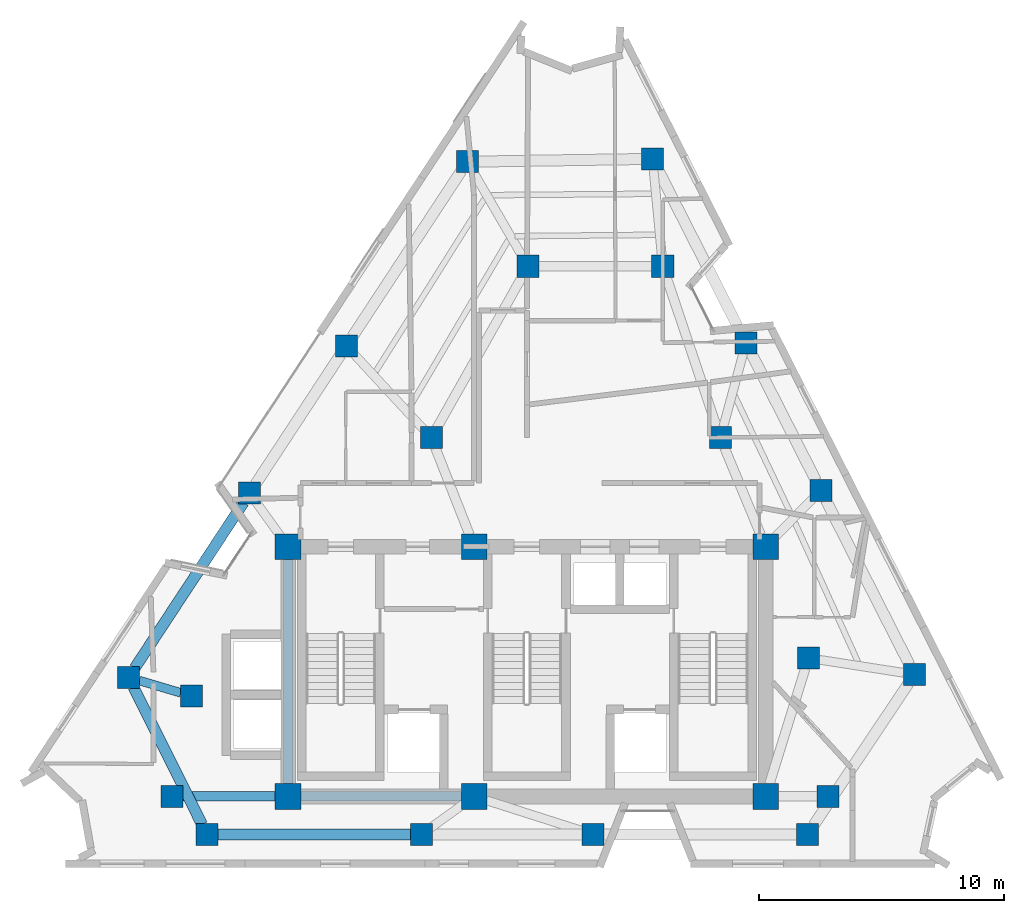
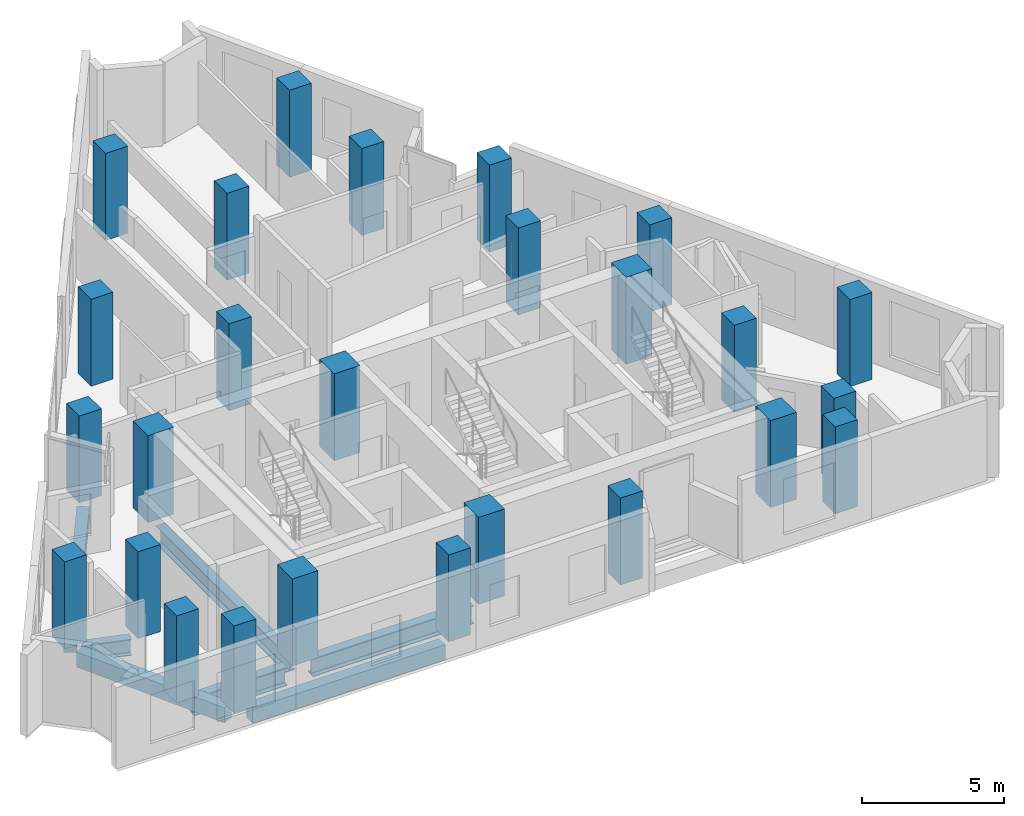
# One storey, part 1 of 9: 26 columns, 7 beams.
"""IFC4 building model written with IfcOpenShell, lengths in metres."""

import ifcopenshell
import ifcopenshell.guid

model = None  # the IFC model being written
_history = None  # IfcOwnerHistory: only IFC2X3 demands one
_inside = {}  # id of a spatial element -> (the spatial element, [elements in it])
_under = {}  # id of a project, library or spatial element -> (it, [spatial elements below it])
_declared = {}  # id of a project -> (the project, [libraries it declares])
_typed = {}  # id of a type object -> (the type object, [elements of that type])
_made_of = {}  # id of a material, layer set ... -> (it, [elements and type objects made of it])


def new_model(schema):
    """Start an empty IFC model of exactly this schema.

    Asked for "IFC4X3", IfcOpenShell would pick the latest addendum, in which some entities
    have other attributes; the version numbers below select the first issue.
    IFC2X3 requires an IfcOwnerHistory on every rooted entity: one is made here for all.
    """
    global model, _history
    if schema == "IFC4X3":
        model = ifcopenshell.file(schema_version=(4, 3, 0, 0))
    else:
        model = ifcopenshell.file(schema=schema)
    _inside.clear()
    _under.clear()
    _declared.clear()
    _typed.clear()
    _made_of.clear()
    _history = None
    if model.schema == "IFC2X3":
        org = make("IfcOrganization", Name="unknown")
        user = make(
            "IfcPersonAndOrganization",
            ThePerson=make("IfcPerson", FamilyName="unknown"),
            TheOrganization=org,
        )
        app = make(
            "IfcApplication",
            ApplicationDeveloper=org,
            Version="unknown",
            ApplicationFullName="unknown",
            ApplicationIdentifier="unknown",
        )
        _history = make(
            "IfcOwnerHistory",
            OwningUser=user,
            OwningApplication=app,
            ChangeAction="ADDED",
            CreationDate=0,
        )
    return model


def make(cls, **values):
    """One entity of the class cls with the attributes given. An attribute that is None is left unset."""
    return model.create_entity(
        cls, **{name: value for name, value in values.items() if value is not None}
    )


def rooted(cls, **values):
    """An entity with a GlobalId (a new one), such as an element, a storey or a relation."""
    return make(cls, GlobalId=ifcopenshell.guid.new(), OwnerHistory=_history, **values)


def si_unit(unit_type, name, prefix=None):
    """IfcSIUnit, for example si_unit("LENGTHUNIT", "METRE", prefix="MILLI")."""
    return make("IfcSIUnit", UnitType=unit_type, Prefix=prefix, Name=name)


def assignment(units):
    """IfcUnitAssignment: the units of a project."""
    return None if units is None else make("IfcUnitAssignment", Units=units)


def point(xyz):
    """IfcCartesianPoint."""
    return None if xyz is None else make("IfcCartesianPoint", Coordinates=xyz)


def direction(xyz):
    """IfcDirection."""
    return None if xyz is None else make("IfcDirection", DirectionRatios=xyz)


def frame(location, z_axis=None, x_axis=None):
    """IfcAxis2Placement3D, a coordinate frame: its origin and axes. An axis left out is left unset."""
    return make(
        "IfcAxis2Placement3D",
        Location=point(location),
        Axis=direction(z_axis),
        RefDirection=direction(x_axis),
    )


def frame_2d(location, x_axis=None):
    """IfcAxis2Placement2D, a coordinate frame in the plane: its origin and x axis."""
    return make(
        "IfcAxis2Placement2D", Location=point(location), RefDirection=direction(x_axis)
    )


def origin():
    """The frame at (0, 0, 0) with its axes left unset."""
    return frame((0.0, 0.0, 0.0))


def origin_2d():
    """The frame at (0, 0) in the plane with its x axis left unset."""
    return frame_2d((0.0, 0.0))


def place(relative_to, where):
    """IfcLocalPlacement: puts the frame where relative to a parent placement (None: the world)."""
    return make(
        "IfcLocalPlacement", PlacementRelTo=relative_to, RelativePlacement=where
    )


def context(
    kind, dimensions, precision=None, world=None, true_north=None, identifier=None
):
    """IfcGeometricRepresentationContext, for example the 3D "Model" context."""
    return make(
        "IfcGeometricRepresentationContext",
        ContextIdentifier=identifier,
        ContextType=kind,
        CoordinateSpaceDimension=dimensions,
        Precision=precision,
        WorldCoordinateSystem=world,
        TrueNorth=true_north,
    )


def subcontext(parent, identifier, kind, view, scale=None):
    """IfcGeometricRepresentationSubContext, for example "Body" below "Model"."""
    return make(
        "IfcGeometricRepresentationSubContext",
        ContextIdentifier=identifier,
        ContextType=kind,
        ParentContext=parent,
        TargetScale=scale,
        TargetView=view,
    )


def project(units=None, contexts=None):
    """IfcProject with its units and contexts."""
    return rooted(
        "IfcProject",
        Name="project",
        RepresentationContexts=contexts,
        UnitsInContext=assignment(units),
    )


def spatial(cls, under=None, at=None, **own):
    """A site, building, storey or space (cls), placed at a placement, below another one or the project."""
    s = rooted(cls, ObjectPlacement=at, **own)
    if under is not None:
        _under.setdefault(under.id(), (under, []))[1].append(s)
    return s


def profile(cls, at=None, kind="AREA", **sizes):
    """A parametric profile (cls). Its sizes go by their IFC names, for example OverallWidth=200.0."""
    return make(cls, ProfileType=kind, Position=at, **sizes)


def rectangle(**sizes):
    """IfcRectangleProfileDef."""
    return profile("IfcRectangleProfileDef", **sizes)


def i_section(**sizes):
    """IfcIShapeProfileDef."""
    return profile("IfcIShapeProfileDef", **sizes)


def extrude(swept, where, along, depth):
    """IfcExtrudedAreaSolid: the profile swept, set in the frame where, extruded along a direction by depth."""
    return make(
        "IfcExtrudedAreaSolid",
        SweptArea=swept,
        Position=where,
        ExtrudedDirection=direction(along),
        Depth=depth,
    )


def shape(context_of_items, identifier, shape_type, items):
    """IfcShapeRepresentation: the items that make up one representation, for example the "Body"."""
    return make(
        "IfcShapeRepresentation",
        ContextOfItems=context_of_items,
        RepresentationIdentifier=identifier,
        RepresentationType=shape_type,
        Items=items,
    )


def material(Name=None, Category=None):
    """IfcMaterial."""
    return make("IfcMaterial", Name=Name, Category=Category)


def material_profile(
    of_material, cross_section, Name=None, Category=None, Priority=None
):
    """IfcMaterialProfile: a cross section and its material."""
    return make(
        "IfcMaterialProfile",
        Name=Name,
        Material=of_material,
        Profile=cross_section,
        Priority=Priority,
        Category=Category,
    )


def profile_set(profiles, Name=None, composite=None):
    """IfcMaterialProfileSet."""
    return make(
        "IfcMaterialProfileSet",
        Name=Name,
        MaterialProfiles=profiles,
        CompositeProfile=composite,
    )


def made_of(thing, what):
    """Note that an element or type object is made of a material, layer set ...; save() writes the relation."""
    if what is not None:
        _made_of.setdefault(what.id(), (what, []))[1].append(thing)
    return thing


def type_object(cls, material=None, **own):
    """A type object (cls), such as IfcWallType, which elements share."""
    return made_of(rooted(cls, **own), material)


def element(
    cls,
    number,
    at=None,
    inside=None,
    cuts=None,
    type_object=None,
    material=None,
    context=None,
    identifier="Body",
    shape_type=None,
    held_by="IfcProductDefinitionShape",
    body=None,
    shapes=None,
    **own,
):
    """One element of the class cls, such as IfcWall. Its Tag is "e" and its number.

    at: its placement. inside: the storey or other place that contains it. cuts: it is an
    opening in that element (IfcRelVoidsElement). A single representation is given by context,
    identifier, shape_type and body (its items); several are given by shapes. held_by: the class
    of the entity that holds the representations. save() writes the other relations.
    """
    e = rooted(cls, Tag="e%d" % number, ObjectPlacement=at, **own)
    if body is not None:
        shapes = [shape(context, identifier, shape_type, body)]
    if shapes is not None:
        e.Representation = make(held_by, Representations=shapes)
    if inside is not None:
        _inside.setdefault(inside.id(), (inside, []))[1].append(e)
    if cuts is not None:
        rooted(
            "IfcRelVoidsElement", RelatingBuildingElement=cuts, RelatedOpeningElement=e
        )
    if type_object is not None:
        _typed.setdefault(type_object.id(), (type_object, []))[1].append(e)
    return made_of(e, material)


def aggregate(whole, parts):
    """IfcRelAggregates: a whole, such as a stair, and the parts it consists of."""
    return rooted("IfcRelAggregates", RelatingObject=whole, RelatedObjects=parts)


def save(model, path):
    """Write the relations noted so far, then the file.

    IfcRelAggregates (storeys below a building ...), IfcRelContainedInSpatialStructure (elements
    in a storey), IfcRelDefinesByType, IfcRelAssociatesMaterial and IfcRelDeclares: one each for
    every whole, place, type object, material and project.
    """
    for whole, parts in _under.values():
        aggregate(whole, parts)
    for where, things in _inside.values():
        rooted(
            "IfcRelContainedInSpatialStructure",
            RelatedElements=things,
            RelatingStructure=where,
        )
    for kind, things in _typed.values():
        rooted("IfcRelDefinesByType", RelatedObjects=things, RelatingType=kind)
    for what, things in _made_of.values():
        rooted("IfcRelAssociatesMaterial", RelatedObjects=things, RelatingMaterial=what)
    for by, libraries in _declared.values():
        rooted("IfcRelDeclares", RelatingContext=by, RelatedDefinitions=libraries)
    model.write(path)


model = new_model("IFC4")

# Units and contexts
model_context = context("Model", 3, precision=1e-05, world=origin(), true_north=direction((0.0, 1.0)))
body_context = subcontext(model_context, "Body", "Model", "MODEL_VIEW")
ifc_project = project(units=[si_unit("LENGTHUNIT", "METRE"), si_unit("AREAUNIT", "SQUARE_METRE"), si_unit("VOLUMEUNIT", "CUBIC_METRE"), si_unit("PLANEANGLEUNIT", "RADIAN"), si_unit("MASSUNIT", "GRAM", prefix="KILO")], contexts=[model_context])

# Site, building, storey
site_placement = place(None, origin())
site = spatial("IfcSite", under=ifc_project, at=site_placement, CompositionType="ELEMENT")
building_placement = place(site_placement, origin())
building = spatial("IfcBuilding", under=site, at=building_placement, Name="Almagre Mirador Tower", CompositionType="ELEMENT")
storey_placement = place(building_placement, frame((0.0, 0.0, 248.25)))
storey = spatial("IfcBuildingStorey", under=building, at=storey_placement, Name="L64", CompositionType="ELEMENT", Elevation=248.25)

# Columns
ifc_material_1 = material(Name="Concrete C60/75", Category="concrete")
ifc_material_profile_1 = material_profile(ifc_material_1, rectangle(XDim=1.050048828125, YDim=1.050048828125, at=origin_2d()), Name="RC1050X1050")
ifc_profile_set_1 = profile_set([ifc_material_profile_1], Name="Concrete C60/75")
column_type_1 = type_object("IfcColumnType", Name="COL-RC1050", PredefinedType="COLUMN", material=ifc_profile_set_1)
for number, where, z_axis, x_axis, name in (
    (1, (27.550048828125, 4.550048828125, 0.0), (0.0, 0.0, 1.0), (1.0, 0.0, 0.0), "L64 core spine column CC1"),
    (2, (35.14990234375, 4.550048828125, 0.0), (0.0, 0.0, 1.0), (1.0, 0.0, 0.0), "L64 core spine column CC2"),
    (3, (47.050048828125, 4.550048828125, 0.0), (0.0, 0.0, 1.0), (1.0, 0.0, 0.0), "L64 core spine column CC3"),
    (4, (27.550048828125, 14.75, 0.0), (0.0, 0.0, 1.0), (1.0, 0.0, 0.0), "L64 core spine column CC4"),
    (5, (35.14990234375, 14.75, 0.0), (0.0, 0.0, 1.0), (1.0, 0.0, 0.0), "L64 core spine column CC5"),
    (6, (47.050048828125, 14.75, 0.0), (0.0, 0.0, 1.0), (1.0, 0.0, 0.0), "L64 core spine column CC6"),
):
    element("IfcColumn", number, at=place(storey_placement, frame(where, z_axis=z_axis, x_axis=x_axis)), inside=storey, type_object=column_type_1, Name=name, PredefinedType="COLUMN", context=body_context, shape_type="SweptSolid", body=[
        extrude(rectangle(XDim=1.050048828125, YDim=1.050048828125, at=origin_2d()), origin(), (0.0, 0.0, 1.0), 3.75),
    ])
ifc_material_2 = material(Name="Concrete C60/75", Category="concrete")
ifc_material_profile_2 = material_profile(ifc_material_2, rectangle(XDim=0.89990234375, YDim=0.89990234375, at=origin_2d()), Name="RC900X900")
ifc_profile_set_2 = profile_set([ifc_material_profile_2], Name="Concrete C60/75")
column_type_2 = type_object("IfcColumnType", Name="COL-RC900", PredefinedType="COLUMN", material=ifc_profile_set_2)
for number, where, z_axis, x_axis, name in (
    (7, (22.800048828125, 4.550048828125, 0.0), (0.0, 0.0, 1.0), (1.0, 0.0, 0.0), "L64 interior transfer column MC1"),
    (8, (49.60009765625, 4.550048828125, 0.0), (0.0, 0.0, 1.0), (1.0, 0.0, 0.0), "L64 interior transfer column MC2"),
    (9, (48.800048828125, 10.199951171875, 0.0), (0.0, 0.0, 1.0), (1.0, 0.0, 0.0), "L64 interior transfer column MC3"),
    (10, (45.199951171875, 19.199951171875, 0.0), (0.0, 0.0, 1.0), (1.0, 0.0, 0.0), "L64 interior transfer column MC5"),
    (11, (42.85009765625, 26.199951171875, 0.0), (0.0, 0.0, 1.0), (1.0, 0.0, 0.0), "L64 interior transfer column MC6"),
    (12, (37.35009765625, 26.199951171875, 0.0), (0.0, 0.0, 1.0), (1.0, 0.0, 0.0), "L64 interior transfer column MC7"),
    (13, (33.39990234375, 19.199951171875, 0.0), (0.0, 0.0, 1.0), (1.0, 0.0, 0.0), "L64 interior transfer column MC8"),
    (14, (23.60009765625, 8.64990234375, 0.0), (0.0, 0.0, 1.0), (1.0, 0.0, 0.0), "L64 interior transfer column MC10"),
    (15, (24.236083984375, 3.0, 0.0), (0.0, 0.0, 1.0), (1.0, 0.0, 0.0), "L64 perimeter column PC01"),
    (16, (32.99609375, 3.0, 0.0), (0.0, 0.0, 1.0), (1.0, 0.0, 0.0), "L64 perimeter column PC02"),
    (17, (40.00390625, 3.0, 0.0), (0.0, 0.0, 1.0), (1.0, 0.0, 0.0), "L64 perimeter column PC03"),
    (18, (48.763916015625, 3.0, 0.0), (0.0, 0.0, 1.0), (1.0, 0.0, 0.0), "L64 perimeter column PC04"),
    (19, (53.1279296875, 9.529052734375, 0.0), (0.0, 0.0, 1.0), (1.0, 0.0, 0.0), "L64 perimeter column PC05"),
    (20, (49.30810546875, 17.049072265625, 0.0), (0.0, 0.0, 1.0), (1.0, 0.0, 0.0), "L64 perimeter column PC06"),
    (21, (46.251953125, 23.06494140625, 0.0), (0.0, 0.0, 1.0), (1.0, 0.0, 0.0), "L64 perimeter column PC07"),
    (22, (42.431884765625, 30.5849609375, 0.0), (0.0, 0.0, 1.0), (1.0, 0.0, 0.0), "L64 perimeter column PC08"),
    (23, (34.868896484375, 30.468994140625, 0.0), (0.0, 0.0, 1.0), (1.0, 0.0, 0.0), "L64 perimeter column PC09"),
    (24, (29.928955078125, 22.948974609375, 0.0), (0.0, 0.0, 1.0), (1.0, 0.0, 0.0), "L64 perimeter column PC10"),
    (25, (25.97705078125, 16.93310546875, 0.0), (0.0, 0.0, 1.0), (1.0, 0.0, 0.0), "L64 perimeter column PC11"),
    (26, (21.037109375, 9.4130859375, 0.0), (0.0, 0.0, 1.0), (1.0, 0.0, 0.0), "L64 perimeter column PC12"),
):
    element("IfcColumn", number, at=place(storey_placement, frame(where, z_axis=z_axis, x_axis=x_axis)), inside=storey, type_object=column_type_2, Name=name, PredefinedType="COLUMN", context=body_context, shape_type="SweptSolid", body=[
        extrude(rectangle(XDim=0.89990234375, YDim=0.89990234375, at=origin_2d()), origin(), (0.0, 0.0, 1.0), 3.75),
    ])

# Beams
ifc_material_3 = material(Name="Precast concrete C50/60", Category="concrete")
ifc_material_profile_3 = material_profile(ifc_material_3, rectangle(XDim=0.449951171875, YDim=0.64990234375, at=origin_2d()), Name="RC450X650")
ifc_profile_set_3 = profile_set([ifc_material_profile_3], Name="Precast concrete C50/60")
beam_type_1 = type_object("IfcBeamType", Name="BM-SPN-RC450X650", PredefinedType="SPANDREL", material=ifc_profile_set_3)
beam_1_placement = place(storey_placement, frame((24.68603515625, 3.0, -0.574951171875), z_axis=(1.0, 0.0, 0.0), x_axis=(0.0, 1.0, 0.0)))
element("IfcBeam", 27, at=beam_1_placement, inside=storey, type_object=beam_type_1, Name="L64 perimeter spandrel beam PC01-PC02", PredefinedType="SPANDREL", context=body_context, shape_type="SweptSolid", body=[
    extrude(rectangle(XDim=0.449951171875, YDim=0.64990234375, at=origin_2d()), origin(), (0.0, 0.0, 1.0), 7.85986328125),
])
beam_2_placement = place(storey_placement, frame((25.72998046875, 16.556884765625, -0.574951171875), z_axis=(-0.54903769876, -0.835797586345, 0.0), x_axis=(0.835797586345, -0.54903769876, 0.0)))
element("IfcBeam", 28, at=beam_2_placement, inside=storey, type_object=beam_type_1, Name="L64 perimeter spandrel beam PC11-PC12", PredefinedType="SPANDREL", context=body_context, shape_type="SweptSolid", body=[
    extrude(rectangle(XDim=0.449951171875, YDim=0.64990234375, at=origin_2d()), origin(), (0.0, 0.0, 1.0), 8.097412109375),
])
beam_3_placement = place(storey_placement, frame((21.23779296875, 9.01025390625, -0.574951171875), z_axis=(0.446387482803, -0.894839770684, 0.0), x_axis=(0.894839770684, 0.446387482803, 0.0)))
element("IfcBeam", 29, at=beam_3_placement, inside=storey, type_object=beam_type_1, Name="L64 perimeter spandrel beam PC12-PC01", PredefinedType="SPANDREL", context=body_context, shape_type="SweptSolid", body=[
    extrude(rectangle(XDim=0.449951171875, YDim=0.64990234375, at=origin_2d()), origin(), (0.0, 0.0, 1.0), 6.2666015625),
])
ifc_material_4 = material(Name="Steel ASTM A992 Grade 50", Category="steel")
ifc_material_profile_4 = material_profile(ifc_material_4, i_section(OverallWidth=0.35791015625, OverallDepth=0.7060546875, WebThickness=0.018310546875, FlangeThickness=0.0302734375, FilletRadius=0.02197265625, at=origin_2d()), Name="W27X178")
ifc_profile_set_4 = profile_set([ifc_material_profile_4], Name="Steel ASTM A992 Grade 50")
beam_type_2 = type_object("IfcBeamType", Name="BM-STL-W27X178", PredefinedType="BEAM", material=ifc_profile_set_4)
beam_4_placement = place(storey_placement, frame((21.46826171875, 9.28466796875, -0.60302734375), z_axis=(0.958411312387, -0.285390532935, 0.0), x_axis=(0.285390532935, 0.958411312387, 0.0)))
element("IfcBeam", 30, at=beam_4_placement, inside=storey, type_object=beam_type_2, Name="L64 radial floor girder PC12-MC10", PredefinedType="BEAM", context=body_context, shape_type="SweptSolid", body=[
    extrude(i_section(OverallWidth=0.35791015625, OverallDepth=0.7060546875, WebThickness=0.018310546875, FlangeThickness=0.0302734375, FilletRadius=0.02197265625, at=origin_2d()), origin(), (0.0, 0.0, 1.0), 1.774169921875),
])
ifc_material_5 = material(Name="Steel ASTM A992 Grade 50", Category="steel")
ifc_material_profile_5 = material_profile(ifc_material_5, i_section(OverallWidth=0.384033203125, OverallDepth=0.784912109375, WebThickness=0.019775390625, FlangeThickness=0.033447265625, FilletRadius=0.02392578125, at=origin_2d()), Name="W30X211")
ifc_profile_set_5 = profile_set([ifc_material_profile_5], Name="Steel ASTM A992 Grade 50")
beam_type_3 = type_object("IfcBeamType", Name="BM-STL-W30X211", PredefinedType="BEAM", material=ifc_profile_set_5)
beam_5_placement = place(storey_placement, frame((28.074951171875, 4.550048828125, -0.642578125), z_axis=(1.0, 0.0, 0.0), x_axis=(0.0, 1.0, 0.0)))
element("IfcBeam", 31, at=beam_5_placement, inside=storey, type_object=beam_type_3, Name="L64 core tie girder CC1-CC2", PredefinedType="BEAM", context=body_context, shape_type="SweptSolid", body=[
    extrude(i_section(OverallWidth=0.384033203125, OverallDepth=0.784912109375, WebThickness=0.019775390625, FlangeThickness=0.033447265625, FilletRadius=0.02392578125, at=origin_2d()), origin(), (0.0, 0.0, 1.0), 6.550048828125),
])
beam_6_placement = place(storey_placement, frame((27.550048828125, 5.074951171875, -0.642578125), z_axis=(0.0, 1.0, 0.0), x_axis=(-1.0, 0.0, 0.0)))
element("IfcBeam", 32, at=beam_6_placement, inside=storey, type_object=beam_type_3, Name="L64 core tie girder CC1-CC4", PredefinedType="BEAM", context=body_context, shape_type="SweptSolid", body=[
    extrude(i_section(OverallWidth=0.384033203125, OverallDepth=0.784912109375, WebThickness=0.019775390625, FlangeThickness=0.033447265625, FilletRadius=0.02392578125, at=origin_2d()), origin(), (0.0, 0.0, 1.0), 9.150146484375),
])
beam_7_placement = place(storey_placement, frame((23.25, 4.550048828125, -0.642578125), z_axis=(1.0, 0.0, 0.0), x_axis=(0.0, 1.0, 0.0)))
element("IfcBeam", 33, at=beam_7_placement, inside=storey, type_object=beam_type_3, Name="L64 core tie girder MC1-CC1", PredefinedType="BEAM", context=body_context, shape_type="SweptSolid", body=[
    extrude(i_section(OverallWidth=0.384033203125, OverallDepth=0.784912109375, WebThickness=0.019775390625, FlangeThickness=0.033447265625, FilletRadius=0.02392578125, at=origin_2d()), origin(), (0.0, 0.0, 1.0), 3.77490234375),
])

save(model, "model.ifc")
